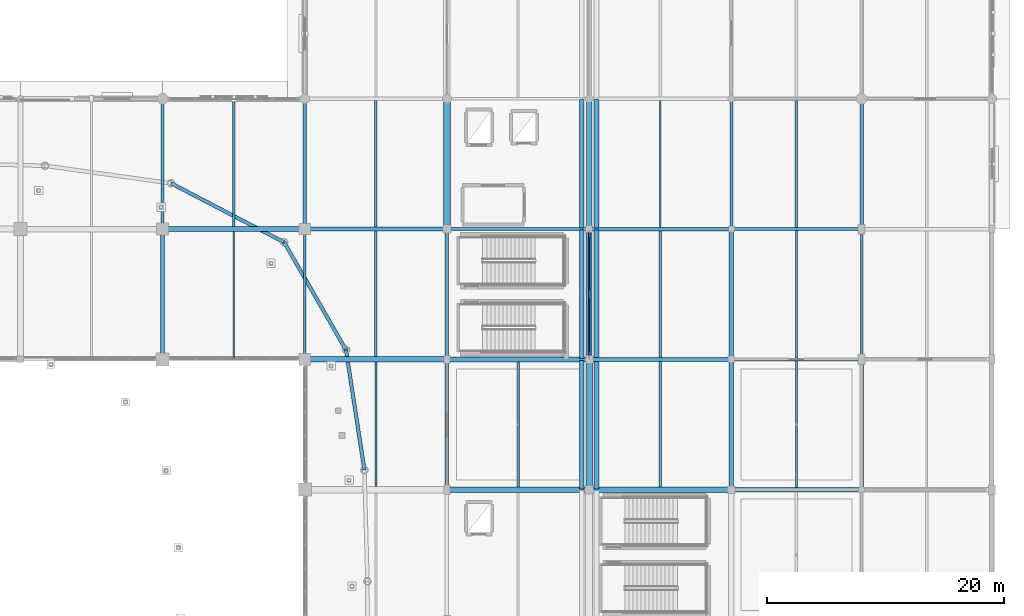
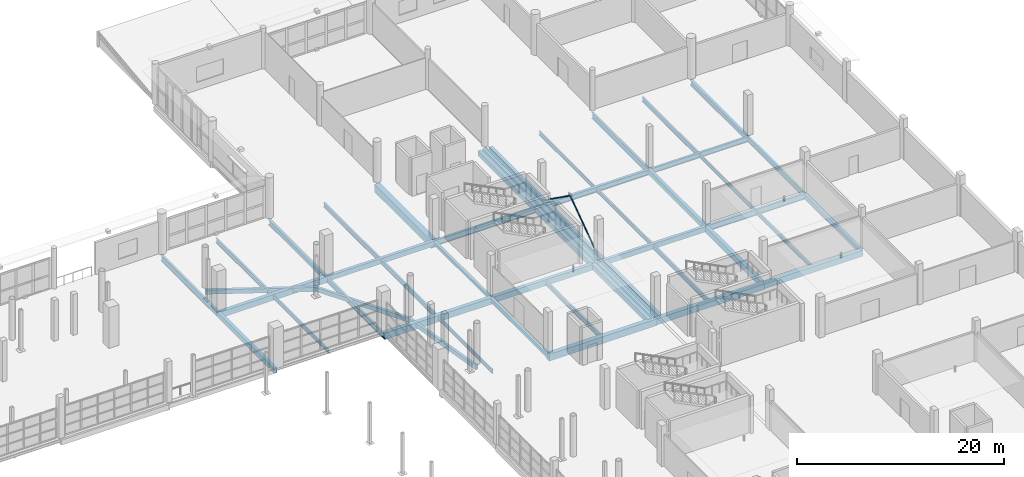
# One storey, part 65 of 143: 49 beams, 2 members.
"""IFC4 building model written with IfcOpenShell, lengths in metres."""

from ifc_helpers import new_model, si_unit, direction, frame, origin, origin_2d, place, context, subcontext, project, spatial, rectangle, hollow_rectangle, hollow_circle, i_section, extrude, material, material_profile, profile_set, type_object, element, save


model = new_model("IFC4")

# Units and contexts
model_context = context("Model", 3, precision=1e-05, world=origin(), true_north=direction((0.0, 1.0)))
body_context = subcontext(model_context, "Body", "Model", "MODEL_VIEW")
ifc_project = project(units=[si_unit("LENGTHUNIT", "METRE"), si_unit("AREAUNIT", "SQUARE_METRE"), si_unit("VOLUMEUNIT", "CUBIC_METRE"), si_unit("PLANEANGLEUNIT", "RADIAN"), si_unit("MASSUNIT", "GRAM", prefix="KILO")], contexts=[model_context])

# Site, building, storey
site_placement = place(None, origin())
site = spatial("IfcSite", under=ifc_project, at=site_placement, CompositionType="ELEMENT")
building_placement = place(site_placement, origin())
building = spatial("IfcBuilding", under=site, at=building_placement, Name="Luwafu Chhajja Arena", CompositionType="ELEMENT")
storey_placement = place(building_placement, frame((0.0, 0.0, 5.39990234375)))
storey = spatial("IfcBuildingStorey", under=building, at=storey_placement, Name="L01", CompositionType="ELEMENT", Elevation=5.39990234375)

# Beams
ifc_material_1 = material(Name="Concrete C35/45", Category="concrete")
ifc_material_profile_1 = material_profile(ifc_material_1, rectangle(XDim=0.35009765625, YDim=0.60009765625, at=origin_2d()), Name="RC 350x600")
ifc_profile_set_1 = profile_set([ifc_material_profile_1], Name="Concrete C35/45")
beam_type_1 = type_object("IfcBeamType", Name="Arcade Tie Beam RC 350x600", PredefinedType="BEAM", material=ifc_profile_set_1)
for number, where, z_axis, x_axis, name in (
    (1, (140.0, 88.0, -0.6298828125), (1.0, 0.0, 0.0), (0.0, 1.0, 0.0), "L01 Grid Beam 13-14/J"),
    (2, (164.0, 77.0, -0.6298828125), (1.0, 0.0, 0.0), (0.0, 1.0, 0.0), "L01 Grid Beam 15-16/H"),
):
    element("IfcBeam", number, at=place(storey_placement, frame(where, z_axis=z_axis, x_axis=x_axis)), inside=storey, type_object=beam_type_1, Name=name, PredefinedType="BEAM", context=body_context, shape_type="SweptSolid", body=[
        extrude(rectangle(XDim=0.35009765625, YDim=0.60009765625, at=origin_2d()), origin(), (0.0, 0.0, 1.0), 12.0),
    ])
for number, where, z_axis, x_axis, name in (
    (3, (128.0, 77.0, -0.6298828125), (0.0, 1.0, 0.0), (-1.0, 0.0, 0.0), "L01 Grid Beam 12/H-J"),
    (4, (176.0, 77.0, -0.6298828125), (0.0, 1.0, 0.0), (-1.0, 0.0, 0.0), "L01 Grid Beam 16/H-J"),
):
    element("IfcBeam", number, at=place(storey_placement, frame(where, z_axis=z_axis, x_axis=x_axis)), inside=storey, type_object=beam_type_1, Name=name, PredefinedType="BEAM", context=body_context, shape_type="SweptSolid", body=[
        extrude(rectangle(XDim=0.35009765625, YDim=0.60009765625, at=origin_2d()), origin(), (0.0, 0.0, 1.0), 11.0),
    ])

# Members
ifc_material_2 = material(Name="Steel S355", Category="steel")
ifc_material_profile_2 = material_profile(ifc_material_2, hollow_circle(Radius=0.06982421875, WallThickness=0.00634765625, at=origin_2d()), Name="CHS 139.7x6.3")
ifc_profile_set_2 = profile_set([ifc_material_profile_2], Name="Steel S355")
member_type = type_object("IfcMemberType", Name="Catwalk Secondary Brace CHS 140", PredefinedType="BRACE", material=ifc_profile_set_2)
for number, where, z_axis, x_axis, name in (
    (5, (164.0, 77.0, 0.1201171875), (0.0, 0.814680446214, 0.57991014007), (-1.0, 0.0, 0.0), "L01 Lateral Chevron Brace 17A"),
    (6, (164.0, 88.0, 0.1201171875), (0.0, -0.814680446214, 0.57991014007), (1.0, 0.0, 0.0), "L01 Lateral Chevron Brace 17B"),
):
    element("IfcMember", number, at=place(storey_placement, frame(where, z_axis=z_axis, x_axis=x_axis)), inside=storey, type_object=member_type, Name=name, PredefinedType="BRACE", context=body_context, shape_type="SweptSolid", body=[
        extrude(hollow_circle(Radius=0.06982421875, WallThickness=0.00634765625, at=origin_2d()), origin(), (0.0, 0.0, 1.0), 6.751220703125),
    ])

# Beams
ifc_material_profile_3 = material_profile(ifc_material_1, rectangle(XDim=0.60009765625, YDim=0.89990234375, at=origin_2d()), Name="RC 600x900")
ifc_profile_set_3 = profile_set([ifc_material_profile_3], Name="Concrete C35/45")
beam_type_2 = type_object("IfcBeamType", Name="Concourse Primary Girder RC 600x900", PredefinedType="BEAM", material=ifc_profile_set_3)
beam_1_placement = place(storey_placement, frame((152.0, 88.0, -0.77978515625), z_axis=(0.0, 1.0, 0.0), x_axis=(-1.0, 0.0, 0.0)))
element("IfcBeam", 7, at=beam_1_placement, inside=storey, type_object=beam_type_2, Name="L01 Grid Beam 14/J-K", PredefinedType="BEAM", context=body_context, shape_type="SweptSolid", body=[
    extrude(rectangle(XDim=0.60009765625, YDim=0.89990234375, at=origin_2d()), origin(), (0.0, 0.0, 1.0), 11.0),
])
ifc_material_profile_4 = material_profile(ifc_material_1, rectangle(XDim=0.550048828125, YDim=0.949951171875, at=origin_2d()), Name="RC 550x950")
ifc_profile_set_4 = profile_set([ifc_material_profile_4], Name="Concrete C35/45")
beam_type_3 = type_object("IfcBeamType", Name="Concourse Radial Girder RC 550x950", PredefinedType="BEAM", material=ifc_profile_set_4)
beam_2_placement = place(storey_placement, frame((164.0, 66.0, -0.804931640625), z_axis=(0.0, 1.0, 0.0), x_axis=(-1.0, 0.0, 0.0)))
element("IfcBeam", 8, at=beam_2_placement, inside=storey, type_object=beam_type_3, Name="L01 Grid Beam 15/G-H", PredefinedType="BEAM", context=body_context, shape_type="SweptSolid", body=[
    extrude(rectangle(XDim=0.550048828125, YDim=0.949951171875, at=origin_2d()), origin(), (0.0, 0.0, 1.0), 11.0),
])
ifc_material_profile_5 = material_profile(ifc_material_2, i_section(OverallWidth=0.15283203125, OverallDepth=0.45458984375, WebThickness=0.008056640625, FlangeThickness=0.01318359375, at=origin_2d()), Name="UB 457x152x60")
ifc_profile_set_5 = profile_set([ifc_material_profile_5], Name="Steel S355")
beam_type_4 = type_object("IfcBeamType", Name="Floor Joist UB 457x152x60", PredefinedType="JOIST", material=ifc_profile_set_5)
beam_3_placement = place(storey_placement, frame((134.0, 77.082763671875, -0.55712890625), z_axis=(0.0, 1.0, 0.0), x_axis=(-1.0, 0.0, 0.0)))
element("IfcBeam", 9, at=beam_3_placement, inside=storey, type_object=beam_type_4, Name="L01 Secondary Joist 12-13/H", PredefinedType="JOIST", context=body_context, shape_type="SweptSolid", body=[
    extrude(i_section(OverallWidth=0.15283203125, OverallDepth=0.45458984375, WebThickness=0.008056640625, FlangeThickness=0.01318359375, at=origin_2d()), origin(), (0.0, 0.0, 1.0), 10.71728515625),
])
beam_4_placement = place(storey_placement, frame((146.0, 66.27490234375, -0.55712890625), z_axis=(0.0, 1.0, 0.0), x_axis=(-1.0, 0.0, 0.0)))
element("IfcBeam", 10, at=beam_4_placement, inside=storey, type_object=beam_type_4, Name="L01 Secondary Joist 13-14/G", PredefinedType="JOIST", context=body_context, shape_type="SweptSolid", body=[
    extrude(i_section(OverallWidth=0.15283203125, OverallDepth=0.45458984375, WebThickness=0.008056640625, FlangeThickness=0.01318359375, at=origin_2d()), origin(), (0.0, 0.0, 1.0), 10.5),
])
beam_5_placement = place(storey_placement, frame((170.0, 88.153564453125, -0.55712890625), z_axis=(0.0, 1.0, 0.0), x_axis=(-1.0, 0.0, 0.0)))
element("IfcBeam", 11, at=beam_5_placement, inside=storey, type_object=beam_type_4, Name="L01 Secondary Joist 15-16/J", PredefinedType="JOIST", context=body_context, shape_type="SweptSolid", body=[
    extrude(i_section(OverallWidth=0.15283203125, OverallDepth=0.45458984375, WebThickness=0.008056640625, FlangeThickness=0.01318359375, at=origin_2d()), origin(), (0.0, 0.0, 1.0), 10.696533203125),
])
beam_6_placement = place(storey_placement, frame((181.5, 77.126953125, -0.55712890625), z_axis=(0.0, 1.0, 0.0), x_axis=(-1.0, 0.0, 0.0)))
element("IfcBeam", 12, at=beam_6_placement, inside=storey, type_object=beam_type_4, Name="L01 Secondary Joist 16-17/H", PredefinedType="JOIST", context=body_context, shape_type="SweptSolid", body=[
    extrude(i_section(OverallWidth=0.15283203125, OverallDepth=0.45458984375, WebThickness=0.008056640625, FlangeThickness=0.01318359375, at=origin_2d()), origin(), (0.0, 0.0, 1.0), 10.758544921875),
])
ifc_material_profile_6 = material_profile(ifc_material_2, i_section(OverallWidth=0.19140625, OverallDepth=0.4599609375, WebThickness=0.010009765625, FlangeThickness=0.01611328125, at=origin_2d()), Name="UB 457x191x82")
ifc_profile_set_6 = profile_set([ifc_material_profile_6], Name="Steel S355")
beam_type_5 = type_object("IfcBeamType", Name="Floor Joist UB 457x191x82", PredefinedType="JOIST", material=ifc_profile_set_6)
beam_7_placement = place(storey_placement, frame((170.0, 77.175048828125, -0.559814453125), z_axis=(0.0, 1.0, 0.0), x_axis=(-1.0, 0.0, 0.0)))
element("IfcBeam", 13, at=beam_7_placement, inside=storey, type_object=beam_type_5, Name="L01 Secondary Joist 15-16/H", PredefinedType="JOIST", context=body_context, shape_type="SweptSolid", body=[
    extrude(i_section(OverallWidth=0.19140625, OverallDepth=0.4599609375, WebThickness=0.010009765625, FlangeThickness=0.01611328125, at=origin_2d()), origin(), (0.0, 0.0, 1.0), 10.67138671875),
])
beam_8_placement = place(storey_placement, frame((181.5, 66.199951171875, -0.559814453125), z_axis=(0.0, 1.0, 0.0), x_axis=(-1.0, 0.0, 0.0)))
element("IfcBeam", 14, at=beam_8_placement, inside=storey, type_object=beam_type_5, Name="L01 Secondary Joist 16-17/G", PredefinedType="JOIST", context=body_context, shape_type="SweptSolid", body=[
    extrude(i_section(OverallWidth=0.19140625, OverallDepth=0.4599609375, WebThickness=0.010009765625, FlangeThickness=0.01611328125, at=origin_2d()), origin(), (0.0, 0.0, 1.0), 10.673095703125),
])
ifc_material_profile_7 = material_profile(ifc_material_2, i_section(OverallWidth=0.2099609375, OverallDepth=0.53662109375, WebThickness=0.0107421875, FlangeThickness=0.017333984375, at=origin_2d()), Name="UB 533x210x101")
ifc_profile_set_7 = profile_set([ifc_material_profile_7], Name="Steel S355")
beam_type_6 = type_object("IfcBeamType", Name="Floor Joist UB 533x210x101", PredefinedType="JOIST", material=ifc_profile_set_7)
beam_9_placement = place(storey_placement, frame((134.0, 88.199951171875, -0.59814453125), z_axis=(0.0, 1.0, 0.0), x_axis=(-1.0, 0.0, 0.0)))
element("IfcBeam", 15, at=beam_9_placement, inside=storey, type_object=beam_type_6, Name="L01 Secondary Joist 12-13/J", PredefinedType="JOIST", context=body_context, shape_type="SweptSolid", body=[
    extrude(i_section(OverallWidth=0.2099609375, OverallDepth=0.53662109375, WebThickness=0.0107421875, FlangeThickness=0.017333984375, at=origin_2d()), origin(), (0.0, 0.0, 1.0), 10.650146484375),
])
beam_10_placement = place(storey_placement, frame((146.0, 77.22509765625, -0.59814453125), z_axis=(0.0, 1.0, 0.0), x_axis=(-1.0, 0.0, 0.0)))
element("IfcBeam", 16, at=beam_10_placement, inside=storey, type_object=beam_type_6, Name="L01 Secondary Joist 13-14/H", PredefinedType="JOIST", context=body_context, shape_type="SweptSolid", body=[
    extrude(i_section(OverallWidth=0.2099609375, OverallDepth=0.53662109375, WebThickness=0.0107421875, FlangeThickness=0.017333984375, at=origin_2d()), origin(), (0.0, 0.0, 1.0), 10.599853515625),
])
beam_11_placement = place(storey_placement, frame((158.0, 66.25, -0.59814453125), z_axis=(0.0, 1.0, 0.0), x_axis=(-1.0, 0.0, 0.0)))
element("IfcBeam", 17, at=beam_11_placement, inside=storey, type_object=beam_type_6, Name="L01 Secondary Joist 14-15/G", PredefinedType="JOIST", context=body_context, shape_type="SweptSolid", body=[
    extrude(i_section(OverallWidth=0.2099609375, OverallDepth=0.53662109375, WebThickness=0.0107421875, FlangeThickness=0.017333984375, at=origin_2d()), origin(), (0.0, 0.0, 1.0), 10.550048828125),
])
beam_12_placement = place(storey_placement, frame((181.5, 88.114501953125, -0.59814453125), z_axis=(0.0, 1.0, 0.0), x_axis=(-1.0, 0.0, 0.0)))
element("IfcBeam", 18, at=beam_12_placement, inside=storey, type_object=beam_type_6, Name="L01 Secondary Joist 16-17/J", PredefinedType="JOIST", context=body_context, shape_type="SweptSolid", body=[
    extrude(i_section(OverallWidth=0.2099609375, OverallDepth=0.53662109375, WebThickness=0.0107421875, FlangeThickness=0.017333984375, at=origin_2d()), origin(), (0.0, 0.0, 1.0), 10.735595703125),
])
ifc_material_profile_8 = material_profile(ifc_material_2, i_section(OverallWidth=0.209228515625, OverallDepth=0.533203125, WebThickness=0.010009765625, FlangeThickness=0.015625, at=origin_2d()), Name="UB 533x210x92")
ifc_profile_set_8 = profile_set([ifc_material_profile_8], Name="Steel S355")
beam_type_7 = type_object("IfcBeamType", Name="Floor Joist UB 533x210x92", PredefinedType="JOIST", material=ifc_profile_set_8)
beam_13_placement = place(storey_placement, frame((146.0, 88.175048828125, -0.596435546875), z_axis=(0.0, 1.0, 0.0), x_axis=(-1.0, 0.0, 0.0)))
element("IfcBeam", 19, at=beam_13_placement, inside=storey, type_object=beam_type_7, Name="L01 Secondary Joist 13-14/J", PredefinedType="JOIST", context=body_context, shape_type="SweptSolid", body=[
    extrude(i_section(OverallWidth=0.209228515625, OverallDepth=0.533203125, WebThickness=0.010009765625, FlangeThickness=0.015625, at=origin_2d()), origin(), (0.0, 0.0, 1.0), 10.67138671875),
])
beam_14_placement = place(storey_placement, frame((170.0, 66.22509765625, -0.596435546875), z_axis=(0.0, 1.0, 0.0), x_axis=(-1.0, 0.0, 0.0)))
element("IfcBeam", 20, at=beam_14_placement, inside=storey, type_object=beam_type_7, Name="L01 Secondary Joist 15-16/G", PredefinedType="JOIST", context=body_context, shape_type="SweptSolid", body=[
    extrude(i_section(OverallWidth=0.209228515625, OverallDepth=0.533203125, WebThickness=0.010009765625, FlangeThickness=0.015625, at=origin_2d()), origin(), (0.0, 0.0, 1.0), 10.599853515625),
])
ifc_material_profile_9 = material_profile(ifc_material_1, rectangle(XDim=0.5, YDim=0.800048828125, at=origin_2d()), Name="RC 500x800")
ifc_profile_set_9 = profile_set([ifc_material_profile_9], Name="Concrete C35/45")
beam_type_8 = type_object("IfcBeamType", Name="Hospitality Primary Beam RC 500x800", PredefinedType="BEAM", material=ifc_profile_set_9)
beam_15_placement = place(storey_placement, frame((152.0, 66.0, -0.72998046875), z_axis=(1.0, 0.0, 0.0), x_axis=(0.0, 1.0, 0.0)))
element("IfcBeam", 21, at=beam_15_placement, inside=storey, type_object=beam_type_8, Name="L01 Grid Beam 14-15/G", PredefinedType="BEAM", context=body_context, shape_type="SweptSolid", body=[
    extrude(rectangle(XDim=0.5, YDim=0.800048828125, at=origin_2d()), origin(), (0.0, 0.0, 1.0), 12.0),
])
beam_16_placement = place(storey_placement, frame((164.0, 77.0, -0.72998046875), z_axis=(0.0, 1.0, 0.0), x_axis=(-1.0, 0.0, 0.0)))
element("IfcBeam", 22, at=beam_16_placement, inside=storey, type_object=beam_type_8, Name="L01 Grid Beam 15/H-J", PredefinedType="BEAM", context=body_context, shape_type="SweptSolid", body=[
    extrude(rectangle(XDim=0.5, YDim=0.800048828125, at=origin_2d()), origin(), (0.0, 0.0, 1.0), 11.0),
])
ifc_material_profile_10 = material_profile(ifc_material_2, hollow_rectangle(XDim=0.300048828125, YDim=0.5, WallThickness=0.02001953125, at=origin_2d()), Name="RHS 500x300x20")
ifc_profile_set_10 = profile_set([ifc_material_profile_10], Name="Steel S355")
beam_type_9 = type_object("IfcBeamType", Name="Pleated Drum Spandrel Beam RHS 500x300", PredefinedType="SPANDREL", material=ifc_profile_set_10)
beam_17_placement = place(storey_placement, frame((145.031982421875, 67.6611328125, -0.579833984375), z_axis=(-0.1515977802, 0.988442265911, 0.0), x_axis=(-0.988442265911, -0.1515977802, 0.0)))
element("IfcBeam", 23, at=beam_17_placement, inside=storey, type_object=beam_type_9, Name="L01 Drum Ring Spandrel D03-D04", PredefinedType="SPANDREL", context=body_context, shape_type="SweptSolid", body=[
    extrude(hollow_rectangle(XDim=0.300048828125, YDim=0.5, WallThickness=0.02001953125, at=origin_2d()), origin(), (0.0, 0.0, 1.0), 10.263427734375),
])
beam_18_placement = place(storey_placement, frame((143.47607421875, 77.805908203125, -0.579833984375), z_axis=(-0.498192671921, 0.867066353657, 0.0), x_axis=(-0.867066353657, -0.498192671921, 0.0)))
element("IfcBeam", 24, at=beam_18_placement, inside=storey, type_object=beam_type_9, Name="L01 Drum Ring Spandrel D04-D05", PredefinedType="SPANDREL", context=body_context, shape_type="SweptSolid", body=[
    extrude(hollow_rectangle(XDim=0.300048828125, YDim=0.5, WallThickness=0.02001953125, at=origin_2d()), origin(), (0.0, 0.0, 1.0), 10.477783203125),
])
beam_19_placement = place(storey_placement, frame((138.256103515625, 86.890869140625, -0.579833984375), z_axis=(-0.886755170812, 0.462239404463, 0.0), x_axis=(-0.462239404463, -0.886755170812, 0.0)))
element("IfcBeam", 25, at=beam_19_placement, inside=storey, type_object=beam_type_9, Name="L01 Drum Ring Spandrel D05-D06", PredefinedType="SPANDREL", context=body_context, shape_type="SweptSolid", body=[
    extrude(hollow_rectangle(XDim=0.300048828125, YDim=0.5, WallThickness=0.02001953125, at=origin_2d()), origin(), (0.0, 0.0, 1.0), 10.756103515625),
])
ifc_material_profile_11 = material_profile(ifc_material_1, rectangle(XDim=0.39990234375, YDim=0.60009765625, at=origin_2d()), Name="RC 400x600")
ifc_profile_set_11 = profile_set([ifc_material_profile_11], Name="Concrete C35/45")
beam_type_10 = type_object("IfcBeamType", Name="Podium Perimeter Spandrel RC 400x600", PredefinedType="SPANDREL", material=ifc_profile_set_11)
for number, where, z_axis, x_axis, name in (
    (26, (163.3798828125, 66.080078125, -0.6298828125), (0.0, 1.0, 0.0), (-1.0, 0.0, 0.0), "L01 Movement Joint MJ2W Seat Girder 06"),
    (27, (163.3798828125, 77.080078125, -0.6298828125), (0.0, 1.0, 0.0), (-1.0, 0.0, 0.0), "L01 Movement Joint MJ2W Seat Girder 07"),
    (28, (163.3798828125, 88.080078125, -0.6298828125), (0.0, 1.0, 0.0), (-1.0, 0.0, 0.0), "L01 Movement Joint MJ2W Seat Girder 08"),
    (29, (164.6201171875, 66.080078125, -0.6298828125), (0.0, 1.0, 0.0), (-1.0, 0.0, 0.0), "L01 Movement Joint MJ2E Seat Girder 06"),
    (30, (164.6201171875, 77.080078125, -0.6298828125), (0.0, 1.0, 0.0), (-1.0, 0.0, 0.0), "L01 Movement Joint MJ2E Seat Girder 07"),
    (31, (164.6201171875, 88.080078125, -0.6298828125), (0.0, 1.0, 0.0), (-1.0, 0.0, 0.0), "L01 Movement Joint MJ2E Seat Girder 08"),
):
    element("IfcBeam", number, at=place(storey_placement, frame(where, z_axis=z_axis, x_axis=x_axis)), inside=storey, type_object=beam_type_10, Name=name, PredefinedType="SPANDREL", context=body_context, shape_type="SweptSolid", body=[
        extrude(rectangle(XDim=0.39990234375, YDim=0.60009765625, at=origin_2d()), origin(), (0.0, 0.0, 1.0), 10.83984375),
    ])
ifc_material_profile_12 = material_profile(ifc_material_2, i_section(OverallWidth=0.300048828125, OverallDepth=0.5, WebThickness=0.014404296875, FlangeThickness=0.028076171875, at=origin_2d()), Name="HEB 500")
ifc_profile_set_12 = profile_set([ifc_material_profile_12], Name="Steel S355")
beam_type_11 = type_object("IfcBeamType", Name="Steel Atrium Tie Girder HEB 500", PredefinedType="BEAM", material=ifc_profile_set_12)
beam_20_placement = place(storey_placement, frame((152.0, 66.0, -0.579833984375), z_axis=(0.0, 1.0, 0.0), x_axis=(-1.0, 0.0, 0.0)))
element("IfcBeam", 32, at=beam_20_placement, inside=storey, type_object=beam_type_11, Name="L01 Grid Beam 14/G-H", PredefinedType="BEAM", context=body_context, shape_type="SweptSolid", body=[
    extrude(i_section(OverallWidth=0.300048828125, OverallDepth=0.5, WebThickness=0.014404296875, FlangeThickness=0.028076171875, at=origin_2d()), origin(), (0.0, 0.0, 1.0), 11.0),
])
ifc_material_profile_13 = material_profile(ifc_material_2, i_section(OverallWidth=0.253662109375, OverallDepth=0.68359375, WebThickness=0.012451171875, FlangeThickness=0.01904296875, at=origin_2d()), Name="UB 686x254x140")
ifc_profile_set_13 = profile_set([ifc_material_profile_13], Name="Steel S355")
beam_type_12 = type_object("IfcBeamType", Name="Steel Concourse Girder UB 686x254x140", PredefinedType="BEAM", material=ifc_profile_set_13)
beam_21_placement = place(storey_placement, frame((152.0, 88.0, -0.671630859375), z_axis=(1.0, 0.0, 0.0), x_axis=(0.0, 1.0, 0.0)))
element("IfcBeam", 33, at=beam_21_placement, inside=storey, type_object=beam_type_12, Name="L01 Grid Beam 14-15/J", PredefinedType="BEAM", context=body_context, shape_type="SweptSolid", body=[
    extrude(i_section(OverallWidth=0.253662109375, OverallDepth=0.68359375, WebThickness=0.012451171875, FlangeThickness=0.01904296875, at=origin_2d()), origin(), (0.0, 0.0, 1.0), 12.0),
])
for number, where, z_axis, x_axis, name in (
    (34, (176.0, 77.0, -0.671630859375), (1.0, 0.0, 0.0), (0.0, 1.0, 0.0), "L01 Grid Beam 16-17/H"),
    (35, (128.0, 88.0, -0.671630859375), (0.0, 1.0, 0.0), (-1.0, 0.0, 0.0), "L01 Grid Beam 12/J-K"),
    (36, (176.0, 88.0, -0.671630859375), (0.0, 1.0, 0.0), (-1.0, 0.0, 0.0), "L01 Grid Beam 16/J-K"),
):
    element("IfcBeam", number, at=place(storey_placement, frame(where, z_axis=z_axis, x_axis=x_axis)), inside=storey, type_object=beam_type_12, Name=name, PredefinedType="BEAM", context=body_context, shape_type="SweptSolid", body=[
        extrude(i_section(OverallWidth=0.253662109375, OverallDepth=0.68359375, WebThickness=0.012451171875, FlangeThickness=0.01904296875, at=origin_2d()), origin(), (0.0, 0.0, 1.0), 11.0),
    ])
ifc_material_profile_14 = material_profile(ifc_material_2, i_section(OverallWidth=0.300048828125, OverallDepth=0.60009765625, WebThickness=0.015380859375, FlangeThickness=0.030029296875, at=origin_2d()), Name="HEB 600")
ifc_profile_set_14 = profile_set([ifc_material_profile_14], Name="Steel S355")
beam_type_13 = type_object("IfcBeamType", Name="Steel Gallery Girder HEB 600", PredefinedType="BEAM", material=ifc_profile_set_14)
for number, where, z_axis, x_axis, name in (
    (37, (140.0, 88.0, -0.6298828125), (0.0, 1.0, 0.0), (-1.0, 0.0, 0.0), "L01 Grid Beam 13/J-K"),
    (38, (187.0, 88.0, -0.6298828125), (0.0, 1.0, 0.0), (-1.0, 0.0, 0.0), "L01 Grid Beam 17/J-K"),
):
    element("IfcBeam", number, at=place(storey_placement, frame(where, z_axis=z_axis, x_axis=x_axis)), inside=storey, type_object=beam_type_13, Name=name, PredefinedType="BEAM", context=body_context, shape_type="SweptSolid", body=[
        extrude(i_section(OverallWidth=0.300048828125, OverallDepth=0.60009765625, WebThickness=0.015380859375, FlangeThickness=0.030029296875, at=origin_2d()), origin(), (0.0, 0.0, 1.0), 11.0),
    ])
ifc_material_profile_15 = material_profile(ifc_material_2, i_section(OverallWidth=0.30712890625, OverallDepth=0.6201171875, WebThickness=0.01416015625, FlangeThickness=0.023681640625, at=origin_2d()), Name="UB 610x305x179")
ifc_profile_set_15 = profile_set([ifc_material_profile_15], Name="Steel S355")
beam_type_14 = type_object("IfcBeamType", Name="Steel Hospitality Girder UB 610x305x179", PredefinedType="BEAM", material=ifc_profile_set_15)
beam_22_placement = place(storey_placement, frame((164.0, 88.0, -0.639892578125), z_axis=(1.0, 0.0, 0.0), x_axis=(0.0, 1.0, 0.0)))
element("IfcBeam", 39, at=beam_22_placement, inside=storey, type_object=beam_type_14, Name="L01 Grid Beam 15-16/J", PredefinedType="BEAM", context=body_context, shape_type="SweptSolid", body=[
    extrude(i_section(OverallWidth=0.30712890625, OverallDepth=0.6201171875, WebThickness=0.01416015625, FlangeThickness=0.023681640625, at=origin_2d()), origin(), (0.0, 0.0, 1.0), 12.0),
])
beam_23_placement = place(storey_placement, frame((187.0, 66.0, -0.639892578125), z_axis=(0.0, 1.0, 0.0), x_axis=(-1.0, 0.0, 0.0)))
element("IfcBeam", 40, at=beam_23_placement, inside=storey, type_object=beam_type_14, Name="L01 Grid Beam 17/G-H", PredefinedType="BEAM", context=body_context, shape_type="SweptSolid", body=[
    extrude(i_section(OverallWidth=0.30712890625, OverallDepth=0.6201171875, WebThickness=0.01416015625, FlangeThickness=0.023681640625, at=origin_2d()), origin(), (0.0, 0.0, 1.0), 11.0),
])
ifc_material_profile_16 = material_profile(ifc_material_2, i_section(OverallWidth=0.22900390625, OverallDepth=0.6123046875, WebThickness=0.011962890625, FlangeThickness=0.01953125, at=origin_2d()), Name="UB 610x229x125")
ifc_profile_set_16 = profile_set([ifc_material_profile_16], Name="Steel S355")
beam_type_15 = type_object("IfcBeamType", Name="Steel Mezzanine Girder UB 610x229x125", PredefinedType="BEAM", material=ifc_profile_set_16)
for number, where, z_axis, x_axis, name in (
    (41, (176.0, 88.0, -0.635986328125), (1.0, 0.0, 0.0), (0.0, 1.0, 0.0), "L01 Grid Beam 16-17/J"),
    (42, (140.0, 77.0, -0.635986328125), (0.0, 1.0, 0.0), (-1.0, 0.0, 0.0), "L01 Grid Beam 13/H-J"),
    (43, (187.0, 77.0, -0.635986328125), (0.0, 1.0, 0.0), (-1.0, 0.0, 0.0), "L01 Grid Beam 17/H-J"),
):
    element("IfcBeam", number, at=place(storey_placement, frame(where, z_axis=z_axis, x_axis=x_axis)), inside=storey, type_object=beam_type_15, Name=name, PredefinedType="BEAM", context=body_context, shape_type="SweptSolid", body=[
        extrude(i_section(OverallWidth=0.22900390625, OverallDepth=0.6123046875, WebThickness=0.011962890625, FlangeThickness=0.01953125, at=origin_2d()), origin(), (0.0, 0.0, 1.0), 11.0),
    ])
ifc_material_profile_17 = material_profile(ifc_material_2, i_section(OverallWidth=0.300048828125, OverallDepth=0.39990234375, WebThickness=0.013427734375, FlangeThickness=0.02392578125, at=origin_2d()), Name="HEB 400")
ifc_profile_set_17 = profile_set([ifc_material_profile_17], Name="Steel S355")
beam_type_16 = type_object("IfcBeamType", Name="Steel Rigging Grid Beam HEB 400", PredefinedType="BEAM", material=ifc_profile_set_17)
beam_24_placement = place(storey_placement, frame((152.0, 77.0, -0.52978515625), z_axis=(0.0, 1.0, 0.0), x_axis=(-1.0, 0.0, 0.0)))
element("IfcBeam", 44, at=beam_24_placement, inside=storey, type_object=beam_type_16, Name="L01 Grid Beam 14/H-J", PredefinedType="BEAM", context=body_context, shape_type="SweptSolid", body=[
    extrude(i_section(OverallWidth=0.300048828125, OverallDepth=0.39990234375, WebThickness=0.013427734375, FlangeThickness=0.02392578125, at=origin_2d()), origin(), (0.0, 0.0, 1.0), 11.0),
])
ifc_material_profile_18 = material_profile(ifc_material_1, rectangle(XDim=0.39990234375, YDim=0.699951171875, at=origin_2d()), Name="RC 400x700")
ifc_profile_set_18 = profile_set([ifc_material_profile_18], Name="Concrete C35/45")
beam_type_17 = type_object("IfcBeamType", Name="Wing Frame Beam RC 400x700", PredefinedType="BEAM", material=ifc_profile_set_18)
for number, where, z_axis, x_axis, name in (
    (45, (128.0, 88.0, -0.679931640625), (1.0, 0.0, 0.0), (0.0, 1.0, 0.0), "L01 Grid Beam 12-13/J"),
    (46, (152.0, 77.0, -0.679931640625), (1.0, 0.0, 0.0), (0.0, 1.0, 0.0), "L01 Grid Beam 14-15/H"),
):
    element("IfcBeam", number, at=place(storey_placement, frame(where, z_axis=z_axis, x_axis=x_axis)), inside=storey, type_object=beam_type_17, Name=name, PredefinedType="BEAM", context=body_context, shape_type="SweptSolid", body=[
        extrude(rectangle(XDim=0.39990234375, YDim=0.699951171875, at=origin_2d()), origin(), (0.0, 0.0, 1.0), 12.0),
    ])
for number, where, z_axis, x_axis, name in (
    (47, (176.0, 66.0, -0.679931640625), (1.0, 0.0, 0.0), (0.0, 1.0, 0.0), "L01 Grid Beam 16-17/G"),
    (48, (176.0, 66.0, -0.679931640625), (0.0, 1.0, 0.0), (-1.0, 0.0, 0.0), "L01 Grid Beam 16/G-H"),
):
    element("IfcBeam", number, at=place(storey_placement, frame(where, z_axis=z_axis, x_axis=x_axis)), inside=storey, type_object=beam_type_17, Name=name, PredefinedType="BEAM", context=body_context, shape_type="SweptSolid", body=[
        extrude(rectangle(XDim=0.39990234375, YDim=0.699951171875, at=origin_2d()), origin(), (0.0, 0.0, 1.0), 11.0),
    ])
ifc_material_profile_19 = material_profile(ifc_material_1, rectangle(XDim=0.449951171875, YDim=0.75, at=origin_2d()), Name="RC 450x750")
ifc_profile_set_19 = profile_set([ifc_material_profile_19], Name="Concrete C35/45")
beam_type_18 = type_object("IfcBeamType", Name="Wing Primary Beam RC 450x750", PredefinedType="BEAM", material=ifc_profile_set_19)
for number, where, z_axis, x_axis, name in (
    (49, (140.0, 77.0, -0.704833984375), (1.0, 0.0, 0.0), (0.0, 1.0, 0.0), "L01 Grid Beam 13-14/H"),
    (50, (164.0, 66.0, -0.704833984375), (1.0, 0.0, 0.0), (0.0, 1.0, 0.0), "L01 Grid Beam 15-16/G"),
):
    element("IfcBeam", number, at=place(storey_placement, frame(where, z_axis=z_axis, x_axis=x_axis)), inside=storey, type_object=beam_type_18, Name=name, PredefinedType="BEAM", context=body_context, shape_type="SweptSolid", body=[
        extrude(rectangle(XDim=0.449951171875, YDim=0.75, at=origin_2d()), origin(), (0.0, 0.0, 1.0), 12.0),
    ])
beam_25_placement = place(storey_placement, frame((164.0, 88.0, -0.704833984375), z_axis=(0.0, 1.0, 0.0), x_axis=(-1.0, 0.0, 0.0)))
element("IfcBeam", 51, at=beam_25_placement, inside=storey, type_object=beam_type_18, Name="L01 Grid Beam 15/J-K", PredefinedType="BEAM", context=body_context, shape_type="SweptSolid", body=[
    extrude(rectangle(XDim=0.449951171875, YDim=0.75, at=origin_2d()), origin(), (0.0, 0.0, 1.0), 11.0),
])

save(model, "model.ifc")
